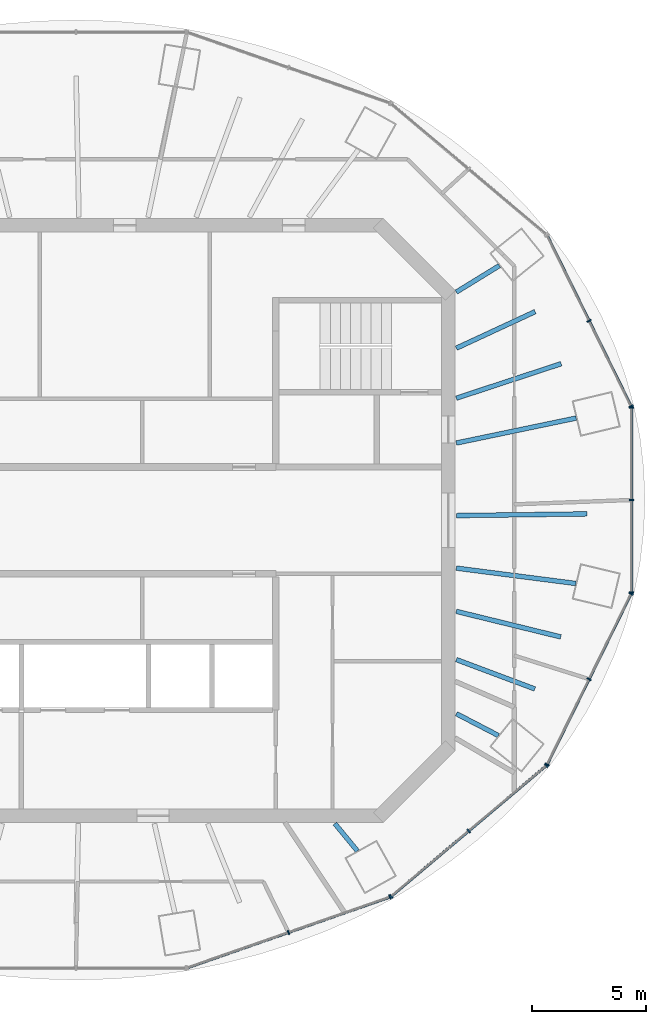
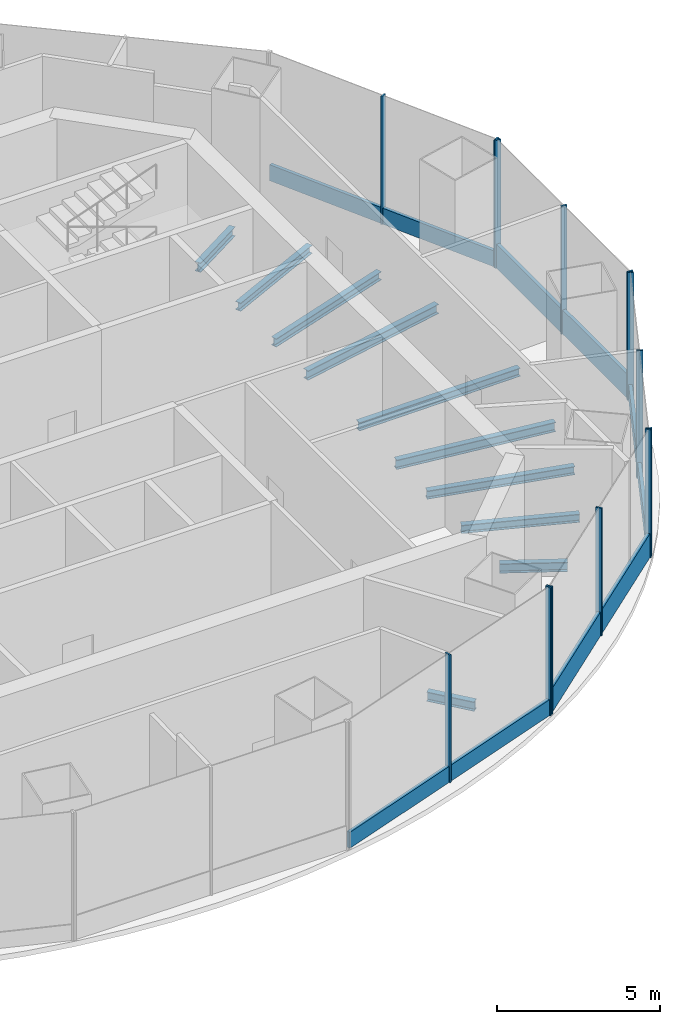
# One storey, part 4 of 12: 18 members, 10 beams, 5 elements without a shape of their own.
"""IFC4 building model written with IfcOpenShell, lengths in metres."""

from ifc_helpers import new_model, si_unit, direction, frame, origin, origin_2d, place, context, subcontext, project, spatial, rectangle, i_section, extrude, material, material_profile, profile_set, type_object, element, aggregate, save


model = new_model("IFC4")

# Units and contexts
model_context = context("Model", 3, precision=1e-05, world=origin(), true_north=direction((0.0, 1.0)))
body_context = subcontext(model_context, "Body", "Model", "MODEL_VIEW")
ifc_project = project(units=[si_unit("LENGTHUNIT", "METRE"), si_unit("AREAUNIT", "SQUARE_METRE"), si_unit("VOLUMEUNIT", "CUBIC_METRE"), si_unit("PLANEANGLEUNIT", "RADIAN"), si_unit("MASSUNIT", "GRAM", prefix="KILO")], contexts=[model_context])

# Site, building, storey
site_placement = place(None, origin())
site = spatial("IfcSite", under=ifc_project, at=site_placement, CompositionType="ELEMENT")
building_placement = place(site_placement, origin())
building = spatial("IfcBuilding", under=site, at=building_placement, Name="Marenthal Gate Tower", CompositionType="ELEMENT")
storey_placement = place(building_placement, frame((0.0, 0.0, 413.550048828125)))
storey = spatial("IfcBuildingStorey", under=building, at=storey_placement, Name="L93", CompositionType="ELEMENT", Elevation=413.550048828125)

# Curtain wall, members
ifc_material_1 = material(Name="Aluminium and glass", Category="aluminium")
curtain_wall_type_1 = type_object("IfcCurtainWallType", Name="Curtain wall crown clad", PredefinedType="NOTDEFINED", material=ifc_material_1)
curtain_wall_1_placement = place(storey_placement, origin())
curtain_wall_1 = element("IfcCurtainWall", 1, at=curtain_wall_1_placement, inside=storey, type_object=curtain_wall_type_1, Name="Curtain wall L93 bay 1", PredefinedType="NOTDEFINED")
ifc_material_2 = material(Name="Aluminium", Category="aluminium")
ifc_material_profile_1 = material_profile(ifc_material_2, rectangle(XDim=0.199951171875, YDim=0.06005859375, at=origin_2d()), Name="60x200 aluminium mullion")
ifc_profile_set_1 = profile_set([ifc_material_profile_1], Name="Aluminium")
member_type_1 = type_object("IfcMemberType", Name="Mullion 60x200 crown clad", PredefinedType="MULLION", material=ifc_profile_set_1)
member_1_placement = place(storey_placement, frame((24.045654296875, 5.026611328125, 0.0), z_axis=(0.0, 0.0, 1.0), x_axis=(-0.897446389763, -0.441123539953, 0.0)))
member_1 = element("IfcMember", 2, at=member_1_placement, type_object=member_type_1, Name="Mullion L93 bay 1.1", PredefinedType="MULLION", context=body_context, shape_type="SweptSolid", body=[
    extrude(rectangle(XDim=0.199951171875, YDim=0.06005859375, at=origin_2d()), origin(), (0.0, 0.0, 1.0), 4.800048828125),
])
member_2_placement = place(storey_placement, frame((22.197021484375, 8.78759765625, 0.0), z_axis=(0.0, 0.0, 1.0), x_axis=(-0.897446389763, -0.441123539953, 0.0)))
member_2 = element("IfcMember", 3, at=member_2_placement, type_object=member_type_1, Name="Mullion L93 bay 1.2", PredefinedType="MULLION", context=body_context, shape_type="SweptSolid", body=[
    extrude(rectangle(XDim=0.199951171875, YDim=0.06005859375, at=origin_2d()), origin(), (0.0, 0.0, 1.0), 4.800048828125),
])

curtain_wall_2_placement = place(storey_placement, origin())
curtain_wall_2 = element("IfcCurtainWall", 4, at=curtain_wall_2_placement, inside=storey, type_object=curtain_wall_type_1, Name="Curtain wall L93 bay 13", PredefinedType="NOTDEFINED")
member_3_placement = place(storey_placement, frame((8.9599609375, -18.142333984375, 0.0), z_axis=(0.0, 0.0, 1.0), x_axis=(-0.329558759622, 0.944135066585, 0.0)))
member_3 = element("IfcMember", 5, at=member_3_placement, type_object=member_type_1, Name="Mullion L93 bay 13.2", PredefinedType="MULLION", context=body_context, shape_type="SweptSolid", body=[
    extrude(rectangle(XDim=0.199951171875, YDim=0.06005859375, at=origin_2d()), origin(), (0.0, 0.0, 1.0), 4.800048828125),
])
member_4_placement = place(storey_placement, frame((13.426513671875, -16.583251953125, 0.0), z_axis=(0.0, 0.0, 1.0), x_axis=(-0.329558759622, 0.944135066585, 0.0)))
member_4 = element("IfcMember", 6, at=member_4_placement, type_object=member_type_1, Name="Mullion L93 bay 13.3", PredefinedType="MULLION", context=body_context, shape_type="SweptSolid", body=[
    extrude(rectangle(XDim=0.199951171875, YDim=0.06005859375, at=origin_2d()), origin(), (0.0, 0.0, 1.0), 4.800048828125),
])

curtain_wall_3_placement = place(storey_placement, origin())
curtain_wall_3 = element("IfcCurtainWall", 7, at=curtain_wall_3_placement, inside=storey, type_object=curtain_wall_type_1, Name="Curtain wall L93 bay 15", PredefinedType="NOTDEFINED")
member_5_placement = place(storey_placement, frame((20.348388671875, -10.748291015625, 0.0), z_axis=(0.0, 0.0, 1.0), x_axis=(-0.897446389763, 0.441123539953, 0.0)))
member_5 = element("IfcMember", 8, at=member_5_placement, type_object=member_type_1, Name="Mullion L93 bay 15.1", PredefinedType="MULLION", context=body_context, shape_type="SweptSolid", body=[
    extrude(rectangle(XDim=0.199951171875, YDim=0.06005859375, at=origin_2d()), origin(), (0.0, 0.0, 1.0), 4.800048828125),
])
member_6_placement = place(storey_placement, frame((22.197021484375, -6.987548828125, 0.0), z_axis=(0.0, 0.0, 1.0), x_axis=(-0.897446389763, 0.441123539953, 0.0)))
member_6 = element("IfcMember", 9, at=member_6_placement, type_object=member_type_1, Name="Mullion L93 bay 15.2", PredefinedType="MULLION", context=body_context, shape_type="SweptSolid", body=[
    extrude(rectangle(XDim=0.199951171875, YDim=0.06005859375, at=origin_2d()), origin(), (0.0, 0.0, 1.0), 4.800048828125),
])
member_7_placement = place(storey_placement, frame((24.045654296875, -3.226806640625, 0.0), z_axis=(0.0, 0.0, 1.0), x_axis=(-0.897446389763, 0.441123539953, 0.0)))
member_7 = element("IfcMember", 10, at=member_7_placement, type_object=member_type_1, Name="Mullion L93 bay 15.3", PredefinedType="MULLION", context=body_context, shape_type="SweptSolid", body=[
    extrude(rectangle(XDim=0.199951171875, YDim=0.06005859375, at=origin_2d()), origin(), (0.0, 0.0, 1.0), 4.800048828125),
])

ifc_material_3 = material(Name="Aluminium and glass", Category="aluminium")
curtain_wall_type_2 = type_object("IfcCurtainWallType", Name="Curtain wall typical high", PredefinedType="NOTDEFINED", material=ifc_material_3)
curtain_wall_4_placement = place(storey_placement, origin())
curtain_wall_4 = element("IfcCurtainWall", 11, at=curtain_wall_4_placement, inside=storey, type_object=curtain_wall_type_2, Name="Curtain wall L93 bay 14", PredefinedType="NOTDEFINED")
ifc_material_4 = material(Name="Aluminium", Category="aluminium")
ifc_material_profile_2 = material_profile(ifc_material_4, rectangle(XDim=0.199951171875, YDim=0.06005859375, at=origin_2d()), Name="60x200 aluminium mullion")
ifc_profile_set_2 = profile_set([ifc_material_profile_2], Name="Aluminium")
member_type_2 = type_object("IfcMemberType", Name="Mullion 60x200 typical high", PredefinedType="MULLION", material=ifc_profile_set_2)
member_8_placement = place(storey_placement, frame((13.477783203125, -16.553955078125, 0.0), z_axis=(0.0, 0.0, 1.0), x_axis=(-0.644394449075, 0.764693267919, 0.0)))
member_8 = element("IfcMember", 12, at=member_8_placement, type_object=member_type_2, Name="Mullion L93 bay 14.1", PredefinedType="MULLION", context=body_context, shape_type="SweptSolid", body=[
    extrude(rectangle(XDim=0.199951171875, YDim=0.06005859375, at=origin_2d()), origin(), (0.0, 0.0, 1.0), 4.800048828125),
])
member_9_placement = place(storey_placement, frame((16.89501953125, -13.67431640625, 0.0), z_axis=(0.0, 0.0, 1.0), x_axis=(-0.644394449075, 0.764693267919, 0.0)))
member_9 = element("IfcMember", 13, at=member_9_placement, type_object=member_type_2, Name="Mullion L93 bay 14.2", PredefinedType="MULLION", context=body_context, shape_type="SweptSolid", body=[
    extrude(rectangle(XDim=0.199951171875, YDim=0.06005859375, at=origin_2d()), origin(), (0.0, 0.0, 1.0), 4.800048828125),
])
member_10_placement = place(storey_placement, frame((20.312255859375, -10.794677734375, 0.0), z_axis=(0.0, 0.0, 1.0), x_axis=(-0.644394449075, 0.764693267919, 0.0)))
member_10 = element("IfcMember", 14, at=member_10_placement, type_object=member_type_2, Name="Mullion L93 bay 14.3", PredefinedType="MULLION", context=body_context, shape_type="SweptSolid", body=[
    extrude(rectangle(XDim=0.199951171875, YDim=0.06005859375, at=origin_2d()), origin(), (0.0, 0.0, 1.0), 4.800048828125),
])

curtain_wall_5_placement = place(storey_placement, origin())
curtain_wall_5 = element("IfcCurtainWall", 15, at=curtain_wall_5_placement, inside=storey, type_object=curtain_wall_type_2, Name="Curtain wall L93 bay 16", PredefinedType="NOTDEFINED")
member_11_placement = place(storey_placement, frame((24.058837890625, -3.169921875, 0.0), z_axis=(0.0, 0.0, 1.0), x_axis=(-1.0, 0.0, 0.0)))
member_11 = element("IfcMember", 16, at=member_11_placement, type_object=member_type_2, Name="Mullion L93 bay 16.1", PredefinedType="MULLION", context=body_context, shape_type="SweptSolid", body=[
    extrude(rectangle(XDim=0.199951171875, YDim=0.06005859375, at=origin_2d()), origin(), (0.0, 0.0, 1.0), 4.800048828125),
])
member_12_placement = place(storey_placement, frame((24.058837890625, 0.89990234375, 0.0), z_axis=(0.0, 0.0, 1.0), x_axis=(-1.0, 0.0, 0.0)))
member_12 = element("IfcMember", 17, at=member_12_placement, type_object=member_type_2, Name="Mullion L93 bay 16.2", PredefinedType="MULLION", context=body_context, shape_type="SweptSolid", body=[
    extrude(rectangle(XDim=0.199951171875, YDim=0.06005859375, at=origin_2d()), origin(), (0.0, 0.0, 1.0), 4.800048828125),
])
member_13_placement = place(storey_placement, frame((24.058837890625, 4.9697265625, 0.0), z_axis=(0.0, 0.0, 1.0), x_axis=(-1.0, 0.0, 0.0)))
member_13 = element("IfcMember", 18, at=member_13_placement, type_object=member_type_2, Name="Mullion L93 bay 16.3", PredefinedType="MULLION", context=body_context, shape_type="SweptSolid", body=[
    extrude(rectangle(XDim=0.199951171875, YDim=0.06005859375, at=origin_2d()), origin(), (0.0, 0.0, 1.0), 4.800048828125),
])

# Member
ifc_material_5 = material(Name="Aluminium", Category="aluminium")
ifc_material_profile_3 = material_profile(ifc_material_5, rectangle(XDim=0.1201171875, YDim=0.60009765625, at=origin_2d()), Name="120x600 aluminium transom")
ifc_profile_set_3 = profile_set([ifc_material_profile_3], Name="Aluminium")
member_type_3 = type_object("IfcMemberType", Name="Transom 120x600 crown clad", PredefinedType="USERDEFINED", material=ifc_profile_set_3)
member_14_placement = place(storey_placement, frame((24.0322265625, 5.0537109375, 0.300048828125), z_axis=(-0.441124056829, 0.897446135702, 0.0), x_axis=(-0.897446135702, -0.441124056829, 0.0)))
member_14 = element("IfcMember", 19, at=member_14_placement, type_object=member_type_3, Name="Transom L93 bay 1", ObjectType="TRANSOM", PredefinedType="USERDEFINED", context=body_context, shape_type="SweptSolid", body=[
    extrude(rectangle(XDim=0.1201171875, YDim=0.60009765625, at=origin_2d()), origin(), (0.0, 0.0, 1.0), 8.321044921875),
])

aggregate(curtain_wall_1, [member_1, member_2, member_14])

member_15_placement = place(storey_placement, frame((4.521728515625, -19.69140625, 0.300048828125), z_axis=(0.944135744817, 0.329556816587, 0.0), x_axis=(-0.329556816587, 0.944135744817, 0.0)))
member_15 = element("IfcMember", 20, at=member_15_placement, type_object=member_type_3, Name="Transom L93 bay 13", ObjectType="TRANSOM", PredefinedType="USERDEFINED", context=body_context, shape_type="SweptSolid", body=[
    extrude(rectangle(XDim=0.1201171875, YDim=0.60009765625, at=origin_2d()), origin(), (0.0, 0.0, 1.0), 9.401611328125),
])

aggregate(curtain_wall_2, [member_3, member_4, member_15])

member_16_placement = place(storey_placement, frame((20.361572265625, -10.721435546875, 0.300048828125), z_axis=(0.441124056829, 0.897446135702, 0.0), x_axis=(-0.897446135702, 0.441124056829, 0.0)))
member_16 = element("IfcMember", 21, at=member_16_placement, type_object=member_type_3, Name="Transom L93 bay 15", ObjectType="TRANSOM", PredefinedType="USERDEFINED", context=body_context, shape_type="SweptSolid", body=[
    extrude(rectangle(XDim=0.1201171875, YDim=0.60009765625, at=origin_2d()), origin(), (0.0, 0.0, 1.0), 8.321044921875),
])

aggregate(curtain_wall_3, [member_5, member_6, member_7, member_16])

ifc_material_6 = material(Name="Aluminium", Category="aluminium")
ifc_material_profile_4 = material_profile(ifc_material_6, rectangle(XDim=0.1201171875, YDim=0.89990234375, at=origin_2d()), Name="120x900 aluminium transom")
ifc_profile_set_4 = profile_set([ifc_material_profile_4], Name="Aluminium")
member_type_4 = type_object("IfcMemberType", Name="Transom 120x900 typical high", PredefinedType="USERDEFINED", material=ifc_profile_set_4)
member_17_placement = place(storey_placement, frame((13.500732421875, -16.53466796875, 0.449951171875), z_axis=(0.764688649653, 0.644399929463, 0.0), x_axis=(-0.644399929463, 0.764688649653, 0.0)))
member_17 = element("IfcMember", 22, at=member_17_placement, type_object=member_type_4, Name="Transom L93 bay 14", ObjectType="TRANSOM", PredefinedType="USERDEFINED", context=body_context, shape_type="SweptSolid", body=[
    extrude(rectangle(XDim=0.1201171875, YDim=0.89990234375, at=origin_2d()), origin(), (0.0, 0.0, 1.0), 8.877685546875),
])

aggregate(curtain_wall_4, [member_8, member_9, member_10, member_17])

member_18_placement = place(storey_placement, frame((24.058837890625, -3.139892578125, 0.449951171875), z_axis=(0.0, 1.0, 0.0), x_axis=(-1.0, 0.0, 0.0)))
member_18 = element("IfcMember", 23, at=member_18_placement, type_object=member_type_4, Name="Transom L93 bay 16", ObjectType="TRANSOM", PredefinedType="USERDEFINED", context=body_context, shape_type="SweptSolid", body=[
    extrude(rectangle(XDim=0.1201171875, YDim=0.89990234375, at=origin_2d()), origin(), (0.0, 0.0, 1.0), 8.07958984375),
])

aggregate(curtain_wall_5, [member_11, member_12, member_13, member_18])

# Beams
ifc_material_7 = material(Name="Steel S355", Category="steel")
ifc_material_profile_5 = material_profile(ifc_material_7, i_section(OverallWidth=0.205078125, OverallDepth=0.31005859375, WebThickness=0.009521484375, FlangeThickness=0.016357421875, FilletRadius=0.0126953125, at=origin_2d()), Name="W310X74")
ifc_profile_set_5 = profile_set([ifc_material_profile_5], Name="Steel S355")
beam_type_1 = type_object("IfcBeamType", Name="W310X74 beam", PredefinedType="BEAM", material=ifc_profile_set_5)
beam_1_placement = place(storey_placement, frame((20.962890625, 6.900390625, -0.35498046875), z_axis=(-0.949868046751, -0.312651073502, 0.0), x_axis=(0.312651073502, -0.949868046751, 0.0)))
element("IfcBeam", 24, at=beam_1_placement, inside=storey, type_object=beam_type_1, Name="BM-L93-17", PredefinedType="BEAM", context=body_context, shape_type="SweptSolid", body=[
    extrude(i_section(OverallWidth=0.205078125, OverallDepth=0.31005859375, WebThickness=0.009521484375, FlangeThickness=0.016357421875, FilletRadius=0.0126953125, at=origin_2d()), origin(), (0.0, 0.0, 1.0), 4.856201171875),
])
beam_2_placement = place(storey_placement, frame((19.821044921875, 9.19384765625, -0.35498046875), z_axis=(-0.907149052656, -0.420809453631, 0.0), x_axis=(0.420809453631, -0.907149052656, 0.0)))
element("IfcBeam", 25, at=beam_2_placement, inside=storey, type_object=beam_type_1, Name="BM-L93-18", PredefinedType="BEAM", context=body_context, shape_type="SweptSolid", body=[
    extrude(i_section(OverallWidth=0.205078125, OverallDepth=0.31005859375, WebThickness=0.009521484375, FlangeThickness=0.016357421875, FilletRadius=0.0126953125, at=origin_2d()), origin(), (0.0, 0.0, 1.0), 3.826171875),
])
beam_3_placement = place(storey_placement, frame((19.8076171875, -7.421142578125, -0.35498046875), z_axis=(-0.936432397486, 0.35084806532, 0.0), x_axis=(-0.35084806532, -0.936432397486, 0.0)))
element("IfcBeam", 26, at=beam_3_placement, inside=storey, type_object=beam_type_1, Name="BM-L93-33", PredefinedType="BEAM", context=body_context, shape_type="SweptSolid", body=[
    extrude(i_section(OverallWidth=0.205078125, OverallDepth=0.31005859375, WebThickness=0.009521484375, FlangeThickness=0.016357421875, FilletRadius=0.0126953125, at=origin_2d()), origin(), (0.0, 0.0, 1.0), 3.692138671875),
])
beam_4_placement = place(storey_placement, frame((20.948486328125, -5.12939453125, -0.35498046875), z_axis=(-0.971305092078, 0.237836956977, 0.0), x_axis=(-0.237836956977, -0.971305092078, 0.0)))
element("IfcBeam", 27, at=beam_4_placement, inside=storey, type_object=beam_type_1, Name="BM-L93-34", PredefinedType="BEAM", context=body_context, shape_type="SweptSolid", body=[
    extrude(i_section(OverallWidth=0.205078125, OverallDepth=0.31005859375, WebThickness=0.009521484375, FlangeThickness=0.016357421875, FilletRadius=0.0126953125, at=origin_2d()), origin(), (0.0, 0.0, 1.0), 4.734130859375),
])
beam_5_placement = place(storey_placement, frame((22.109130859375, 0.2880859375, -0.35498046875), z_axis=(-0.999915321622, -0.013013438626, 0.0), x_axis=(0.013013438626, -0.999915321622, 0.0)))
element("IfcBeam", 28, at=beam_5_placement, inside=storey, type_object=beam_type_1, Name="BM-L93-35", PredefinedType="BEAM", context=body_context, shape_type="SweptSolid", body=[
    extrude(i_section(OverallWidth=0.205078125, OverallDepth=0.31005859375, WebThickness=0.009521484375, FlangeThickness=0.016357421875, FilletRadius=0.0126953125, at=origin_2d()), origin(), (0.0, 0.0, 1.0), 5.759521484375),
])
ifc_material_8 = material(Name="Steel S355", Category="steel")
ifc_material_profile_6 = material_profile(ifc_material_8, i_section(OverallWidth=0.205078125, OverallDepth=0.35302734375, WebThickness=0.009521484375, FlangeThickness=0.016845703125, FilletRadius=0.014892578125, at=origin_2d()), Name="W360X79")
ifc_profile_set_6 = profile_set([ifc_material_profile_6], Name="Steel S355")
beam_type_2 = type_object("IfcBeamType", Name="W360X79 beam", PredefinedType="BEAM", material=ifc_profile_set_6)
beam_6_placement = place(storey_placement, frame((21.627685546875, 4.5078125, -0.37646484375), z_axis=(-0.978958185111, -0.204060951201, 0.0), x_axis=(0.204060951201, -0.978958185111, 0.0)))
element("IfcBeam", 29, at=beam_6_placement, inside=storey, type_object=beam_type_2, Name="BM-L93-01", PredefinedType="BEAM", context=body_context, shape_type="SweptSolid", body=[
    extrude(i_section(OverallWidth=0.205078125, OverallDepth=0.35302734375, WebThickness=0.009521484375, FlangeThickness=0.016845703125, FilletRadius=0.014892578125, at=origin_2d()), origin(), (0.0, 0.0, 1.0), 5.39111328125),
])
beam_7_placement = place(storey_placement, frame((18.248779296875, 11.222412109375, -0.37646484375), z_axis=(-0.851797429259, -0.52387130052, 0.0), x_axis=(0.52387130052, -0.851797429259, 0.0)))
element("IfcBeam", 30, at=beam_7_placement, inside=storey, type_object=beam_type_2, Name="BM-L93-02", PredefinedType="BEAM", context=body_context, shape_type="SweptSolid", body=[
    extrude(i_section(OverallWidth=0.205078125, OverallDepth=0.35302734375, WebThickness=0.009521484375, FlangeThickness=0.016845703125, FilletRadius=0.014892578125, at=origin_2d()), origin(), (0.0, 0.0, 1.0), 2.22900390625),
])
beam_8_placement = place(storey_placement, frame((11.9951171875, -14.553466796875, -0.37646484375), z_axis=(-0.636063861453, 0.771636419665, 0.0), x_axis=(-0.771636419665, -0.636063861453, 0.0)))
element("IfcBeam", 31, at=beam_8_placement, inside=storey, type_object=beam_type_2, Name="BM-L93-14", PredefinedType="BEAM", context=body_context, shape_type="SweptSolid", body=[
    extrude(i_section(OverallWidth=0.205078125, OverallDepth=0.35302734375, WebThickness=0.009521484375, FlangeThickness=0.016845703125, FilletRadius=0.014892578125, at=origin_2d()), origin(), (0.0, 0.0, 1.0), 1.5595703125),
])
beam_9_placement = place(storey_placement, frame((18.20751953125, -9.473876953125, -0.37646484375), z_axis=(-0.887081220885, 0.461613374538, 0.0), x_axis=(-0.461613374538, -0.887081220885, 0.0)))
element("IfcBeam", 32, at=beam_9_placement, inside=storey, type_object=beam_type_2, Name="BM-L93-15", PredefinedType="BEAM", context=body_context, shape_type="SweptSolid", body=[
    extrude(i_section(OverallWidth=0.205078125, OverallDepth=0.35302734375, WebThickness=0.009521484375, FlangeThickness=0.016845703125, FilletRadius=0.014892578125, at=origin_2d()), origin(), (0.0, 0.0, 1.0), 2.09375),
])
beam_10_placement = place(storey_placement, frame((21.611328125, -2.7763671875, -0.37646484375), z_axis=(-0.991845751662, 0.127444124657, 0.0), x_axis=(-0.127444124657, -0.991845751662, 0.0)))
element("IfcBeam", 33, at=beam_10_placement, inside=storey, type_object=beam_type_2, Name="BM-L93-16", PredefinedType="BEAM", context=body_context, shape_type="SweptSolid", body=[
    extrude(i_section(OverallWidth=0.205078125, OverallDepth=0.35302734375, WebThickness=0.009521484375, FlangeThickness=0.016845703125, FilletRadius=0.014892578125, at=origin_2d()), origin(), (0.0, 0.0, 1.0), 5.304443359375),
])

save(model, "model.ifc")
